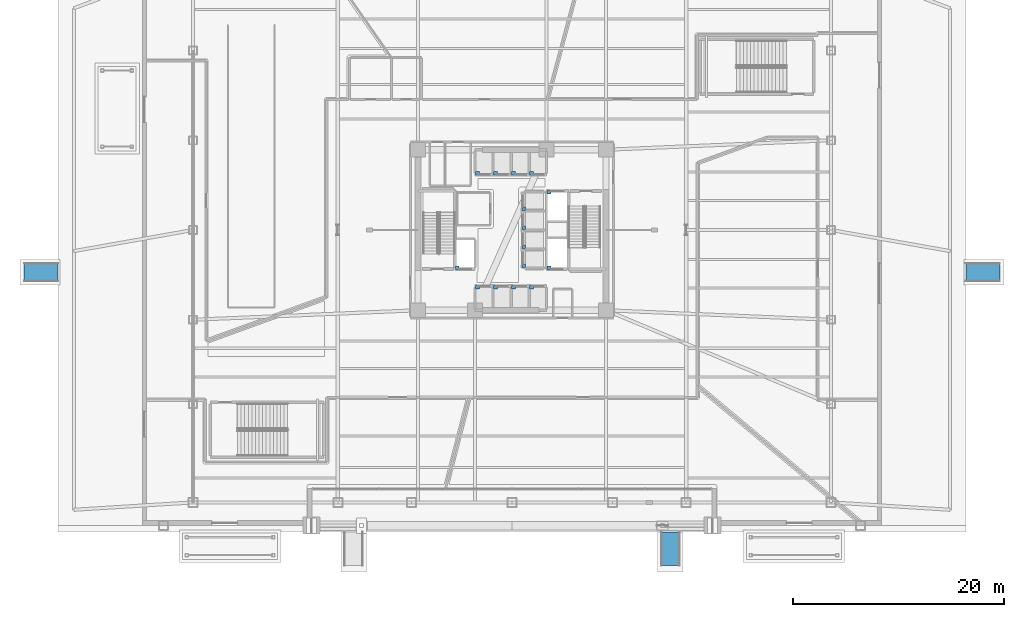
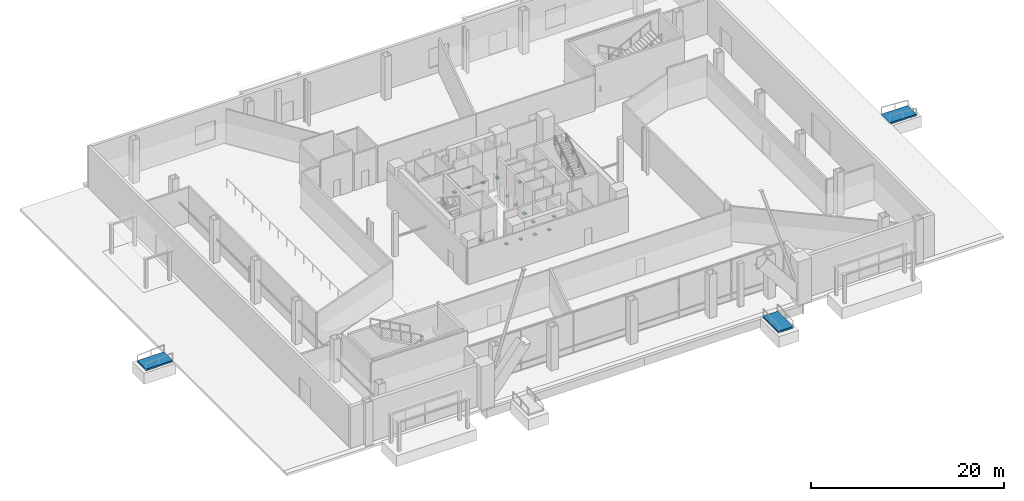
# One storey, part 19 of 27: 15 discrete accessories, 3 ramp flights, 3 elements without a shape of their own.
"""IFC4 building model written with IfcOpenShell, lengths in metres."""

from ifc_helpers import new_model, si_unit, direction, frame, origin, origin_2d, place, context, subcontext, project, spatial, polyline, rectangle, outline, extrude, material, layer, layer_set, type_object, element, aggregate, save


model = new_model("IFC4")

# Units and contexts
model_context = context("Model", 3, precision=1e-05, world=origin(), true_north=direction((0.0, 1.0)))
body_context = subcontext(model_context, "Body", "Model", "MODEL_VIEW")
ifc_project = project(units=[si_unit("LENGTHUNIT", "METRE"), si_unit("AREAUNIT", "SQUARE_METRE"), si_unit("VOLUMEUNIT", "CUBIC_METRE"), si_unit("PLANEANGLEUNIT", "RADIAN"), si_unit("MASSUNIT", "GRAM", prefix="KILO")], contexts=[model_context])

# Site, building, storey
site_placement = place(None, origin())
site = spatial("IfcSite", under=ifc_project, at=site_placement, CompositionType="ELEMENT")
building_placement = place(site_placement, origin())
building = spatial("IfcBuilding", under=site, at=building_placement, Name="Tharavind Bronze Gate", CompositionType="ELEMENT")
storey_placement = place(building_placement, origin())
storey = spatial("IfcBuildingStorey", under=building, at=storey_placement, Name="L00", CompositionType="ELEMENT", Elevation=0.0)

# Ramp, ramp flight
ifc_material_1 = material(Name="Concrete C40/50", Category="concrete")
ramp_type = type_object("IfcRampType", Name="ACCESSIBLE PEDESTRIAN RAMP", PredefinedType="STRAIGHT_RUN_RAMP", material=ifc_material_1)
ramp_1_placement = place(storey_placement, origin())
ramp_1 = element("IfcRamp", 1, at=ramp_1_placement, inside=storey, type_object=ramp_type, Name="Accessible south arrival ramp AR2", PredefinedType="STRAIGHT_RUN_RAMP")
ifc_layer = layer(ifc_material_1, 0.199951171875)
ifc_layer_set = layer_set([ifc_layer], Name="Concrete C40/50")
ramp_flight_type = type_object("IfcRampFlightType", Name="ACCESSIBLE RAMP FLIGHT 200", PredefinedType="STRAIGHT", material=ifc_layer_set)
ramp_flight_1_placement = place(storey_placement, frame((15.0, -31.800048828125, -0.219970703125), z_axis=(0.0, 0.0, 1.0), x_axis=(0.0, 1.0, 0.0)))
ramp_flight_1 = element("IfcRampFlight", 2, at=ramp_flight_1_placement, type_object=ramp_flight_type, Name="Accessible south arrival ramp AR2 flight 1", PredefinedType="STRAIGHT", context=body_context, shape_type="SweptSolid", body=[
    extrude(outline(polyline([(0.0, 0.0), (0.219970703125, 0.0), (2.97998046875, 0.02001953125), (3.199951171875, 0.02001953125), (3.199951171875, 0.219970703125), (0.0, 0.199951171875), (0.0, 0.0)])), frame((0.0, 0.89990234375, 0.0), z_axis=(0.0, -1.0, 0.0), x_axis=(1.0, 0.0, 0.0)), (0.0, 0.0, 1.0), 1.7998046875),
])
aggregate(ramp_1, [ramp_flight_1])

ramp_2_placement = place(storey_placement, origin())
ramp_2 = element("IfcRamp", 3, at=ramp_2_placement, inside=storey, type_object=ramp_type, Name="Accessible west plaza ramp AR3", PredefinedType="STRAIGHT_RUN_RAMP")
ramp_flight_2_placement = place(storey_placement, frame((-46.199951171875, -4.0, -0.219970703125), z_axis=(0.0, 0.0, 1.0), x_axis=(1.0, 0.0, 0.0)))
ramp_flight_2 = element("IfcRampFlight", 4, at=ramp_flight_2_placement, type_object=ramp_flight_type, Name="Accessible west plaza ramp AR3 flight 1", PredefinedType="STRAIGHT", context=body_context, shape_type="SweptSolid", body=[
    extrude(outline(polyline([(0.0, 0.0), (0.219970703125, 0.0), (2.97998046875, 0.02001953125), (3.199951171875, 0.02001953125), (3.199951171875, 0.219970703125), (0.0, 0.199951171875), (0.0, 0.0)])), frame((0.0, 0.89990234375, 0.0), z_axis=(0.0, -1.0, 0.0), x_axis=(1.0, 0.0, 0.0)), (0.0, 0.0, 1.0), 1.7998046875),
])
aggregate(ramp_2, [ramp_flight_2])

ramp_3_placement = place(storey_placement, origin())
ramp_3 = element("IfcRamp", 5, at=ramp_3_placement, inside=storey, type_object=ramp_type, Name="Accessible east plaza ramp AR4", PredefinedType="STRAIGHT_RUN_RAMP")
ramp_flight_3_placement = place(storey_placement, frame((46.199951171875, -4.0, -0.219970703125), z_axis=(0.0, 0.0, 1.0), x_axis=(-1.0, 0.0, 0.0)))
ramp_flight_3 = element("IfcRampFlight", 6, at=ramp_flight_3_placement, type_object=ramp_flight_type, Name="Accessible east plaza ramp AR4 flight 1", PredefinedType="STRAIGHT", context=body_context, shape_type="SweptSolid", body=[
    extrude(outline(polyline([(0.0, 0.0), (0.219970703125, 0.0), (2.97998046875, 0.02001953125), (3.199951171875, 0.02001953125), (3.199951171875, 0.219970703125), (0.0, 0.199951171875), (0.0, 0.0)])), frame((0.0, 0.89990234375, 0.0), z_axis=(0.0, -1.0, 0.0), x_axis=(1.0, 0.0, 0.0)), (0.0, 0.0, 1.0), 1.7998046875),
])
aggregate(ramp_3, [ramp_flight_3])

# Discrete accessories
ifc_material_2 = material(Name="Galvanised Steel S355", Category="steel")
discrete_accessory_type = type_object("IfcDiscreteAccessoryType", Name="LIFT GUIDE RAIL BRACKET", PredefinedType="BRACKET", material=ifc_material_2)
for number, where, z_axis, x_axis, name in (
    (7, (-3.280029296875, -5.419921875, 1.1201171875), (0.0, 0.0, 1.0), (1.0, 0.0, 0.0), "Lift PL1 guide rail bracket at L00"),
    (8, (-1.5673828125, -5.419921875, 1.1201171875), (0.0, 0.0, 1.0), (1.0, 0.0, 0.0), "Lift PL2 guide rail bracket at L00"),
    (9, (0.14501953125, -5.419921875, 1.1201171875), (0.0, 0.0, 1.0), (1.0, 0.0, 0.0), "Lift PL3 guide rail bracket at L00"),
    (10, (1.857421875, -5.419921875, 1.1201171875), (0.0, 0.0, 1.0), (1.0, 0.0, 0.0), "Lift PL4 guide rail bracket at L00"),
    (11, (-3.280029296875, 5.3701171875, 1.1201171875), (0.0, 0.0, 1.0), (1.0, 0.0, 0.0), "Lift PL5 guide rail bracket at L00"),
    (12, (-1.5673828125, 5.3701171875, 1.1201171875), (0.0, 0.0, 1.0), (1.0, 0.0, 0.0), "Lift PL6 guide rail bracket at L00"),
    (13, (0.14501953125, 5.3701171875, 1.1201171875), (0.0, 0.0, 1.0), (1.0, 0.0, 0.0), "Lift PL7 guide rail bracket at L00"),
    (14, (1.857421875, 5.3701171875, 1.1201171875), (0.0, 0.0, 1.0), (1.0, 0.0, 0.0), "Lift PL8 guide rail bracket at L00"),
    (15, (1.1201171875, -3.3798828125, 1.1201171875), (0.0, 0.0, 1.0), (1.0, 0.0, 0.0), "Lift PL9 guide rail bracket at L00"),
    (16, (1.1201171875, -1.580078125, 1.1201171875), (0.0, 0.0, 1.0), (1.0, 0.0, 0.0), "Lift PL10 guide rail bracket at L00"),
    (17, (1.1201171875, 0.219970703125, 1.1201171875), (0.0, 0.0, 1.0), (1.0, 0.0, 0.0), "Lift PL11 guide rail bracket at L00"),
    (18, (1.1201171875, 2.02001953125, 1.1201171875), (0.0, 0.0, 1.0), (1.0, 0.0, 0.0), "Lift PL12 guide rail bracket at L00"),
    (19, (-5.179931640625, -3.580078125, 1.1201171875), (0.0, 0.0, 1.0), (1.0, 0.0, 0.0), "Lift FFL1 guide rail bracket at L00"),
    (20, (3.5, 3.580078125, 1.1201171875), (0.0, 0.0, 1.0), (1.0, 0.0, 0.0), "Lift FFL2 guide rail bracket at L00"),
    (21, (3.5, -3.580078125, 1.1201171875), (0.0, 0.0, 1.0), (1.0, 0.0, 0.0), "Lift SVL1 guide rail bracket at L00"),
):
    element("IfcDiscreteAccessory", number, at=place(storey_placement, frame(where, z_axis=z_axis, x_axis=x_axis)), inside=storey, type_object=discrete_accessory_type, Name=name, PredefinedType="BRACKET", context=body_context, shape_type="SweptSolid", body=[
        extrude(rectangle(XDim=0.360107421875, YDim=0.360107421875, at=origin_2d()), origin(), (0.0, 0.0, 1.0), 0.159912109375),
    ])

save(model, "model.ifc")
